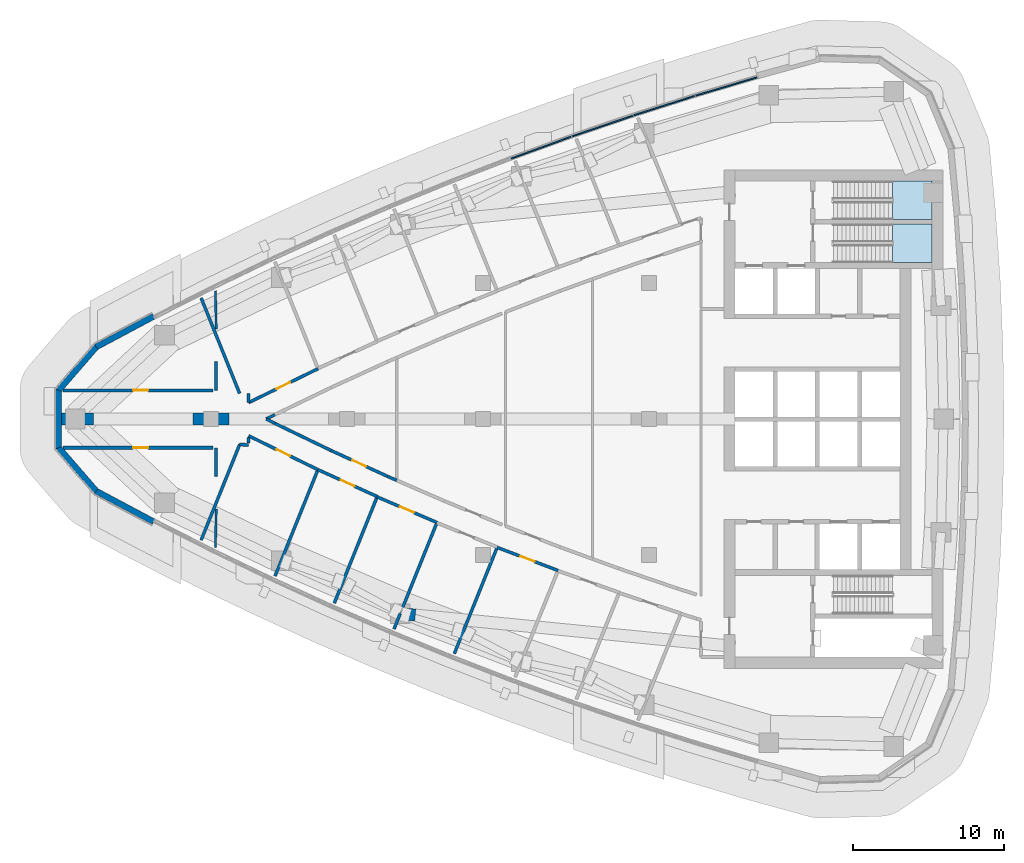
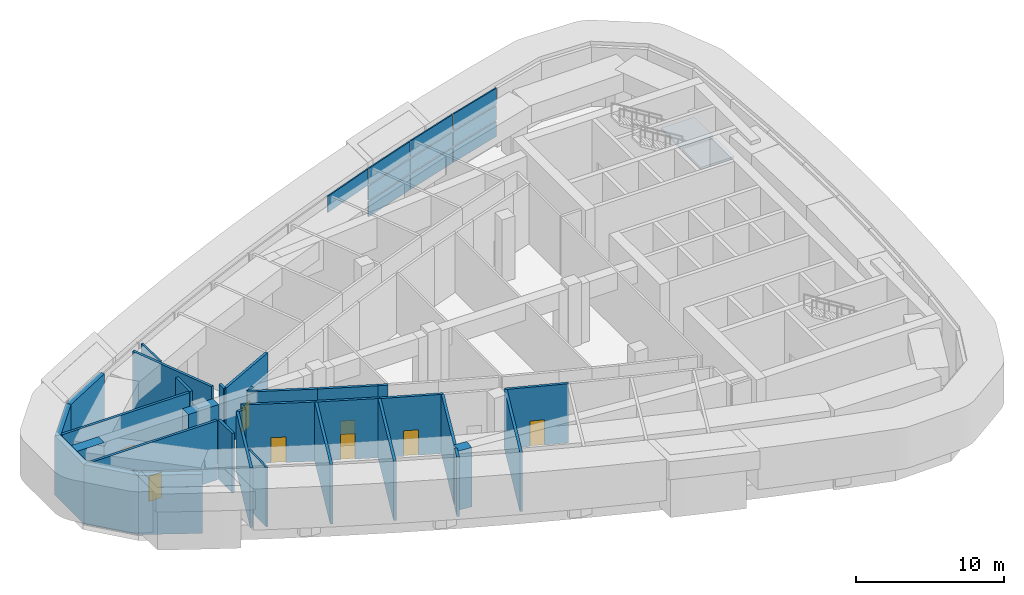
# One storey, part 9 of 17: 34 walls, 10 plates, 8 doors, 2 slabs, 8 openings, 4 elements without a shape of their own.
"""IFC4 building model written with IfcOpenShell, lengths in metres."""

import ifcopenshell
import ifcopenshell.guid

model = None  # the IFC model being written
_history = None  # IfcOwnerHistory: only IFC2X3 demands one
_inside = {}  # id of a spatial element -> (the spatial element, [elements in it])
_under = {}  # id of a project, library or spatial element -> (it, [spatial elements below it])
_declared = {}  # id of a project -> (the project, [libraries it declares])
_typed = {}  # id of a type object -> (the type object, [elements of that type])
_made_of = {}  # id of a material, layer set ... -> (it, [elements and type objects made of it])


def new_model(schema):
    """Start an empty IFC model of exactly this schema.

    Asked for "IFC4X3", IfcOpenShell would pick the latest addendum, in which some entities
    have other attributes; the version numbers below select the first issue.
    IFC2X3 requires an IfcOwnerHistory on every rooted entity: one is made here for all.
    """
    global model, _history
    if schema == "IFC4X3":
        model = ifcopenshell.file(schema_version=(4, 3, 0, 0))
    else:
        model = ifcopenshell.file(schema=schema)
    _inside.clear()
    _under.clear()
    _declared.clear()
    _typed.clear()
    _made_of.clear()
    _history = None
    if model.schema == "IFC2X3":
        org = make("IfcOrganization", Name="unknown")
        user = make(
            "IfcPersonAndOrganization",
            ThePerson=make("IfcPerson", FamilyName="unknown"),
            TheOrganization=org,
        )
        app = make(
            "IfcApplication",
            ApplicationDeveloper=org,
            Version="unknown",
            ApplicationFullName="unknown",
            ApplicationIdentifier="unknown",
        )
        _history = make(
            "IfcOwnerHistory",
            OwningUser=user,
            OwningApplication=app,
            ChangeAction="ADDED",
            CreationDate=0,
        )
    return model


def make(cls, **values):
    """One entity of the class cls with the attributes given. An attribute that is None is left unset."""
    return model.create_entity(
        cls, **{name: value for name, value in values.items() if value is not None}
    )


def rooted(cls, **values):
    """An entity with a GlobalId (a new one), such as an element, a storey or a relation."""
    return make(cls, GlobalId=ifcopenshell.guid.new(), OwnerHistory=_history, **values)


def si_unit(unit_type, name, prefix=None):
    """IfcSIUnit, for example si_unit("LENGTHUNIT", "METRE", prefix="MILLI")."""
    return make("IfcSIUnit", UnitType=unit_type, Prefix=prefix, Name=name)


def assignment(units):
    """IfcUnitAssignment: the units of a project."""
    return None if units is None else make("IfcUnitAssignment", Units=units)


def point(xyz):
    """IfcCartesianPoint."""
    return None if xyz is None else make("IfcCartesianPoint", Coordinates=xyz)


def direction(xyz):
    """IfcDirection."""
    return None if xyz is None else make("IfcDirection", DirectionRatios=xyz)


def frame(location, z_axis=None, x_axis=None):
    """IfcAxis2Placement3D, a coordinate frame: its origin and axes. An axis left out is left unset."""
    return make(
        "IfcAxis2Placement3D",
        Location=point(location),
        Axis=direction(z_axis),
        RefDirection=direction(x_axis),
    )


def frame_2d(location, x_axis=None):
    """IfcAxis2Placement2D, a coordinate frame in the plane: its origin and x axis."""
    return make(
        "IfcAxis2Placement2D", Location=point(location), RefDirection=direction(x_axis)
    )


def origin():
    """The frame at (0, 0, 0) with its axes left unset."""
    return frame((0.0, 0.0, 0.0))


def origin_2d():
    """The frame at (0, 0) in the plane with its x axis left unset."""
    return frame_2d((0.0, 0.0))


def place(relative_to, where):
    """IfcLocalPlacement: puts the frame where relative to a parent placement (None: the world)."""
    return make(
        "IfcLocalPlacement", PlacementRelTo=relative_to, RelativePlacement=where
    )


def context(
    kind, dimensions, precision=None, world=None, true_north=None, identifier=None
):
    """IfcGeometricRepresentationContext, for example the 3D "Model" context."""
    return make(
        "IfcGeometricRepresentationContext",
        ContextIdentifier=identifier,
        ContextType=kind,
        CoordinateSpaceDimension=dimensions,
        Precision=precision,
        WorldCoordinateSystem=world,
        TrueNorth=true_north,
    )


def subcontext(parent, identifier, kind, view, scale=None):
    """IfcGeometricRepresentationSubContext, for example "Body" below "Model"."""
    return make(
        "IfcGeometricRepresentationSubContext",
        ContextIdentifier=identifier,
        ContextType=kind,
        ParentContext=parent,
        TargetScale=scale,
        TargetView=view,
    )


def project(units=None, contexts=None):
    """IfcProject with its units and contexts."""
    return rooted(
        "IfcProject",
        Name="project",
        RepresentationContexts=contexts,
        UnitsInContext=assignment(units),
    )


def spatial(cls, under=None, at=None, **own):
    """A site, building, storey or space (cls), placed at a placement, below another one or the project."""
    s = rooted(cls, ObjectPlacement=at, **own)
    if under is not None:
        _under.setdefault(under.id(), (under, []))[1].append(s)
    return s


def polyline(points):
    """IfcPolyline through the points."""
    return make("IfcPolyline", Points=[point(p) for p in points])


def profile(cls, at=None, kind="AREA", **sizes):
    """A parametric profile (cls). Its sizes go by their IFC names, for example OverallWidth=200.0."""
    return make(cls, ProfileType=kind, Position=at, **sizes)


def rectangle(**sizes):
    """IfcRectangleProfileDef."""
    return profile("IfcRectangleProfileDef", **sizes)


def outline(outer, holes=None, kind="AREA"):
    """IfcArbitraryClosedProfileDef: a profile drawn as a closed curve; with holes, ...WithVoids."""
    if holes is None:
        return make("IfcArbitraryClosedProfileDef", ProfileType=kind, OuterCurve=outer)
    return make(
        "IfcArbitraryProfileDefWithVoids",
        ProfileType=kind,
        OuterCurve=outer,
        InnerCurves=holes,
    )


def extrude(swept, where, along, depth):
    """IfcExtrudedAreaSolid: the profile swept, set in the frame where, extruded along a direction by depth."""
    return make(
        "IfcExtrudedAreaSolid",
        SweptArea=swept,
        Position=where,
        ExtrudedDirection=direction(along),
        Depth=depth,
    )


def shape(context_of_items, identifier, shape_type, items):
    """IfcShapeRepresentation: the items that make up one representation, for example the "Body"."""
    return make(
        "IfcShapeRepresentation",
        ContextOfItems=context_of_items,
        RepresentationIdentifier=identifier,
        RepresentationType=shape_type,
        Items=items,
    )


def material(Name=None, Category=None):
    """IfcMaterial."""
    return make("IfcMaterial", Name=Name, Category=Category)


def layer(
    of_material, thickness, ventilated=None, Name=None, Category=None, Priority=None
):
    """IfcMaterialLayer: one layer of a wall or slab, of a material (None: an air gap)."""
    return make(
        "IfcMaterialLayer",
        Material=of_material,
        LayerThickness=thickness,
        IsVentilated=ventilated,
        Name=Name,
        Category=Category,
        Priority=Priority,
    )


def layer_set(layers, Name=None):
    """IfcMaterialLayerSet."""
    return make("IfcMaterialLayerSet", MaterialLayers=layers, LayerSetName=Name)


def made_of(thing, what):
    """Note that an element or type object is made of a material, layer set ...; save() writes the relation."""
    if what is not None:
        _made_of.setdefault(what.id(), (what, []))[1].append(thing)
    return thing


def type_object(cls, material=None, **own):
    """A type object (cls), such as IfcWallType, which elements share."""
    return made_of(rooted(cls, **own), material)


def element(
    cls,
    number,
    at=None,
    inside=None,
    cuts=None,
    type_object=None,
    material=None,
    context=None,
    identifier="Body",
    shape_type=None,
    held_by="IfcProductDefinitionShape",
    body=None,
    shapes=None,
    **own,
):
    """One element of the class cls, such as IfcWall. Its Tag is "e" and its number.

    at: its placement. inside: the storey or other place that contains it. cuts: it is an
    opening in that element (IfcRelVoidsElement). A single representation is given by context,
    identifier, shape_type and body (its items); several are given by shapes. held_by: the class
    of the entity that holds the representations. save() writes the other relations.
    """
    e = rooted(cls, Tag="e%d" % number, ObjectPlacement=at, **own)
    if body is not None:
        shapes = [shape(context, identifier, shape_type, body)]
    if shapes is not None:
        e.Representation = make(held_by, Representations=shapes)
    if inside is not None:
        _inside.setdefault(inside.id(), (inside, []))[1].append(e)
    if cuts is not None:
        rooted(
            "IfcRelVoidsElement", RelatingBuildingElement=cuts, RelatedOpeningElement=e
        )
    if type_object is not None:
        _typed.setdefault(type_object.id(), (type_object, []))[1].append(e)
    return made_of(e, material)


def fill(opening, filler):
    """IfcRelFillsElement: the door or window that sits in an opening."""
    return rooted(
        "IfcRelFillsElement",
        RelatingOpeningElement=opening,
        RelatedBuildingElement=filler,
    )


def aggregate(whole, parts):
    """IfcRelAggregates: a whole, such as a stair, and the parts it consists of."""
    return rooted("IfcRelAggregates", RelatingObject=whole, RelatedObjects=parts)


def save(model, path):
    """Write the relations noted so far, then the file.

    IfcRelAggregates (storeys below a building ...), IfcRelContainedInSpatialStructure (elements
    in a storey), IfcRelDefinesByType, IfcRelAssociatesMaterial and IfcRelDeclares: one each for
    every whole, place, type object, material and project.
    """
    for whole, parts in _under.values():
        aggregate(whole, parts)
    for where, things in _inside.values():
        rooted(
            "IfcRelContainedInSpatialStructure",
            RelatedElements=things,
            RelatingStructure=where,
        )
    for kind, things in _typed.values():
        rooted("IfcRelDefinesByType", RelatedObjects=things, RelatingType=kind)
    for what, things in _made_of.values():
        rooted("IfcRelAssociatesMaterial", RelatedObjects=things, RelatingMaterial=what)
    for by, libraries in _declared.values():
        rooted("IfcRelDeclares", RelatingContext=by, RelatedDefinitions=libraries)
    model.write(path)


model = new_model("IFC4")

# Units and contexts
model_context = context("Model", 3, precision=1e-05, world=origin(), true_north=direction((0.0, 1.0)))
body_context = subcontext(model_context, "Body", "Model", "MODEL_VIEW")
ifc_project = project(units=[si_unit("LENGTHUNIT", "METRE"), si_unit("AREAUNIT", "SQUARE_METRE"), si_unit("VOLUMEUNIT", "CUBIC_METRE"), si_unit("PLANEANGLEUNIT", "RADIAN"), si_unit("MASSUNIT", "GRAM", prefix="KILO")], contexts=[model_context])

# Site, building, storey
site_placement = place(None, origin())
site = spatial("IfcSite", under=ifc_project, at=site_placement, CompositionType="ELEMENT")
building_placement = place(site_placement, origin())
building = spatial("IfcBuilding", under=site, at=building_placement, Name="Ostrand Prow Hotel Tower", CompositionType="ELEMENT")
storey_placement = place(building_placement, frame((0.0, 0.0, 211.0)))
storey = spatial("IfcBuildingStorey", under=building, at=storey_placement, Name="L53", CompositionType="ELEMENT", Elevation=211.0)

# Curtain wall, plates
ifc_material_1 = material(Name="Insulated glass in bronze anodised frame", Category="glass")
ifc_layer_1 = layer(ifc_material_1, 0.199951171875)
ifc_layer_set_1 = layer_set([ifc_layer_1], Name="Insulated glass in bronze anodised frame")
curtain_wall_type = type_object("IfcCurtainWallType", Name="Plant storey louvre wall", PredefinedType="NOTDEFINED", material=ifc_layer_set_1)
curtain_wall_1_placement = place(storey_placement, origin())
curtain_wall_1 = element("IfcCurtainWall", 1, at=curtain_wall_1_placement, inside=storey, type_object=curtain_wall_type, Name="CW7 run CWN1", PredefinedType="NOTDEFINED")
ifc_material_2 = material(Name="Bronze anodised aluminium louvre", Category="aluminium")
ifc_layer_2 = layer(ifc_material_2, 0.10009765625)
ifc_layer_set_2 = layer_set([ifc_layer_2], Name="Bronze anodised aluminium louvre")
plate_type = type_object("IfcPlateType", Name="Bronze louvre panel 100 mm", PredefinedType="CURTAIN_PANEL", material=ifc_layer_set_2)
plate_1_placement = place(storey_placement, frame((50.118896484375, 22.007080078125, 0.89990234375), z_axis=(0.0, 0.0, 1.0), x_axis=(-0.958662947758, -0.284544113619, 0.0)))
plate_1 = element("IfcPlate", 2, at=plate_1_placement, type_object=plate_type, Name="CW7 PN-V panel 1.1", PredefinedType="CURTAIN_PANEL", context=body_context, shape_type="SweptSolid", body=[
    extrude(rectangle(XDim=4.2451171875, YDim=0.10009765625, at=origin_2d()), origin(), (0.0, 0.0, 1.0), 1.239990234375),
])
plate_2_placement = place(storey_placement, frame((50.118896484375, 22.007080078125, 2.26025390625), z_axis=(0.0, 0.0, 1.0), x_axis=(-0.958662947758, -0.284544113619, 0.0)))
plate_2 = element("IfcPlate", 3, at=plate_2_placement, type_object=plate_type, Name="CW7 PN-V panel 1.2", PredefinedType="CURTAIN_PANEL", context=body_context, shape_type="SweptSolid", body=[
    extrude(rectangle(XDim=4.2451171875, YDim=0.10009765625, at=origin_2d()), origin(), (0.0, 0.0, 1.0), 1.179931640625),
])
plate_3_placement = place(storey_placement, frame((50.118896484375, 22.007080078125, 3.56005859375), z_axis=(0.0, 0.0, 1.0), x_axis=(-0.958662947758, -0.284544113619, 0.0)))
plate_3 = element("IfcPlate", 4, at=plate_3_placement, type_object=plate_type, Name="CW7 PN-V panel 1.3", PredefinedType="CURTAIN_PANEL", context=body_context, shape_type="SweptSolid", body=[
    extrude(rectangle(XDim=4.2451171875, YDim=0.10009765625, at=origin_2d()), origin(), (0.0, 0.0, 1.0), 1.340087890625),
])
plate_4_placement = place(storey_placement, frame((46.00439453125, 20.74072265625, 0.89990234375), z_axis=(0.0, 0.0, 1.0), x_axis=(-0.952739983864, -0.303786970008, 0.0)))
plate_4 = element("IfcPlate", 5, at=plate_4_placement, type_object=plate_type, Name="CW7 PN-V panel 2.1", PredefinedType="CURTAIN_PANEL", context=body_context, shape_type="SweptSolid", body=[
    extrude(rectangle(XDim=4.2451171875, YDim=0.10009765625, at=origin_2d()), origin(), (0.0, 0.0, 1.0), 1.239990234375),
])
plate_5_placement = place(storey_placement, frame((46.00439453125, 20.74072265625, 2.26025390625), z_axis=(0.0, 0.0, 1.0), x_axis=(-0.952739983864, -0.303786970008, 0.0)))
plate_5 = element("IfcPlate", 6, at=plate_5_placement, type_object=plate_type, Name="CW7 PN-V panel 2.2", PredefinedType="CURTAIN_PANEL", context=body_context, shape_type="SweptSolid", body=[
    extrude(rectangle(XDim=4.2451171875, YDim=0.10009765625, at=origin_2d()), origin(), (0.0, 0.0, 1.0), 1.179931640625),
])
plate_6_placement = place(storey_placement, frame((46.00439453125, 20.74072265625, 3.56005859375), z_axis=(0.0, 0.0, 1.0), x_axis=(-0.952739983864, -0.303786970008, 0.0)))
plate_6 = element("IfcPlate", 7, at=plate_6_placement, type_object=plate_type, Name="CW7 PN-V panel 2.3", PredefinedType="CURTAIN_PANEL", context=body_context, shape_type="SweptSolid", body=[
    extrude(rectangle(XDim=4.2451171875, YDim=0.10009765625, at=origin_2d()), origin(), (0.0, 0.0, 1.0), 1.340087890625),
])
aggregate(curtain_wall_1, [plate_1, plate_2, plate_3, plate_4, plate_5, plate_6])

curtain_wall_2_placement = place(storey_placement, origin())
curtain_wall_2 = element("IfcCurtainWall", 8, at=curtain_wall_2_placement, inside=storey, type_object=curtain_wall_type, Name="CW7 run CWN2", PredefinedType="NOTDEFINED")
plate_7_placement = place(storey_placement, frame((41.91650390625, 19.3916015625, 0.89990234375), z_axis=(0.0, 0.0, 1.0), x_axis=(-0.946430245113, -0.322908332404, 0.0)))
plate_7 = element("IfcPlate", 9, at=plate_7_placement, type_object=plate_type, Name="CW7 PN-V panel 1.1", PredefinedType="CURTAIN_PANEL", context=body_context, shape_type="SweptSolid", body=[
    extrude(rectangle(XDim=4.2451171875, YDim=0.10009765625, at=origin_2d()), origin(), (0.0, 0.0, 1.0), 1.239990234375),
])
plate_8_placement = place(storey_placement, frame((41.91650390625, 19.3916015625, 2.26025390625), z_axis=(0.0, 0.0, 1.0), x_axis=(-0.946430245113, -0.322908332404, 0.0)))
plate_8 = element("IfcPlate", 10, at=plate_8_placement, type_object=plate_type, Name="CW7 PN-V panel 1.2", PredefinedType="CURTAIN_PANEL", context=body_context, shape_type="SweptSolid", body=[
    extrude(rectangle(XDim=4.2451171875, YDim=0.10009765625, at=origin_2d()), origin(), (0.0, 0.0, 1.0), 1.179931640625),
])
plate_9_placement = place(storey_placement, frame((41.91650390625, 19.3916015625, 3.56005859375), z_axis=(0.0, 0.0, 1.0), x_axis=(-0.946430245113, -0.322908332404, 0.0)))
plate_9 = element("IfcPlate", 11, at=plate_9_placement, type_object=plate_type, Name="CW7 PN-V panel 1.3", PredefinedType="CURTAIN_PANEL", context=body_context, shape_type="SweptSolid", body=[
    extrude(rectangle(XDim=4.2451171875, YDim=0.10009765625, at=origin_2d()), origin(), (0.0, 0.0, 1.0), 1.340087890625),
])
plate_10_placement = place(storey_placement, frame((37.8564453125, 17.960693359375, 3.56005859375), z_axis=(0.0, 0.0, 1.0), x_axis=(-0.939737383067, -0.341897134919, 0.0)))
plate_10 = element("IfcPlate", 12, at=plate_10_placement, type_object=plate_type, Name="CW7 PN-V panel 2.3", PredefinedType="CURTAIN_PANEL", context=body_context, shape_type="SweptSolid", body=[
    extrude(rectangle(XDim=4.2451171875, YDim=0.10009765625, at=origin_2d()), origin(), (0.0, 0.0, 1.0), 1.340087890625),
])
aggregate(curtain_wall_2, [plate_7, plate_8, plate_9, plate_10])

# Stair, slab
ifc_material_3 = material(Name="Concrete C40/50", Category="concrete")
stair_type = type_object("IfcStairType", Name="Exit stair 1200 upper zone", PredefinedType="HALF_TURN_STAIR", material=ifc_material_3)
stair_1_placement = place(storey_placement, origin())
stair_1 = element("IfcStair", 13, at=stair_1_placement, inside=storey, type_object=stair_type, Name="L53 ST1C", PredefinedType="HALF_TURN_STAIR")
ifc_material_4 = material(Name="Concrete C40/50", Category="concrete")
ifc_layer_3 = layer(ifc_material_4, 0.199951171875)
ifc_layer_set_3 = layer_set([ifc_layer_3], Name="Concrete C40/50")
slab_type = type_object("IfcSlabType", Name="Stair landing 200 concrete", PredefinedType="LANDING", material=ifc_layer_set_3)
slab_1_placement = place(storey_placement, frame((0.0, 0.0, 2.39990234375)))
slab_1 = element("IfcSlab", 14, at=slab_1_placement, type_object=slab_type, Name="ST1C landing 1", PredefinedType="LANDING", context=body_context, shape_type="SweptSolid", body=[
    extrude(outline(polyline([(61.1201171875, 10.35009765625), (63.719970703125, 10.35009765625), (63.719970703125, 12.89990234375), (61.1201171875, 12.89990234375), (61.1201171875, 10.35009765625)])), origin(), (0.0, 0.0, 1.0), 0.2001953125),
])
aggregate(stair_1, [slab_1])

stair_2_placement = place(storey_placement, origin())
stair_2 = element("IfcStair", 15, at=stair_2_placement, inside=storey, type_object=stair_type, Name="L53 ST3C", PredefinedType="HALF_TURN_STAIR")
slab_2_placement = place(storey_placement, frame((0.0, 0.0, 2.39990234375)))
slab_2 = element("IfcSlab", 16, at=slab_2_placement, type_object=slab_type, Name="ST3C landing 1", PredefinedType="LANDING", context=body_context, shape_type="SweptSolid", body=[
    extrude(outline(polyline([(61.1201171875, 13.199951171875), (63.719970703125, 13.199951171875), (63.719970703125, 15.75), (61.1201171875, 15.75), (61.1201171875, 13.199951171875)])), origin(), (0.0, 0.0, 1.0), 0.2001953125),
])
aggregate(stair_2, [slab_2])

# Walls
ifc_material_5 = material(Name="Concrete C60/75", Category="concrete")
ifc_layer_4 = layer(ifc_material_5, 0.800048828125)
ifc_layer_set_4 = layer_set([ifc_layer_4], Name="Concrete C60/75")
wall_type_1 = type_object("IfcWallType", Name="Outrigger wall 800 C60/75", PredefinedType="SHEAR", material=ifc_layer_set_4)
wall_1_placement = place(storey_placement, frame((5.817138671875, 0.0, 0.0), z_axis=(0.0, 0.0, 1.0), x_axis=(1.0, 0.0, 0.0)))
element("IfcWall", 17, at=wall_1_placement, inside=storey, type_object=wall_type_1, Name="Outrigger wall A1", PredefinedType="SHEAR", context=body_context, shape_type="SweptSolid", body=[
    extrude(rectangle(XDim=2.400146484375, YDim=0.800048828125, at=frame_2d((1.2001953125, 0.0))), origin(), (0.0, 0.0, 1.0), 4.89990234375),
])
wall_2_placement = place(storey_placement, frame((14.800048828125, 0.0, 0.0), z_axis=(0.0, 0.0, 1.0), x_axis=(1.0, 0.0, 0.0)))
element("IfcWall", 18, at=wall_2_placement, inside=storey, type_object=wall_type_1, Name="Outrigger wall A2", PredefinedType="SHEAR", context=body_context, shape_type="SweptSolid", body=[
    extrude(rectangle(XDim=2.39990234375, YDim=0.800048828125, at=frame_2d((1.199951171875, 0.0))), origin(), (0.0, 0.0, 1.0), 4.89990234375),
])
wall_3_placement = place(storey_placement, frame((29.529541015625, -12.97607421875, 0.0), z_axis=(0.0, 0.0, 1.0), x_axis=(-0.9951978007, 0.097884306618, 0.0)))
element("IfcWall", 19, at=wall_3_placement, inside=storey, type_object=wall_type_1, Name="Outrigger wall DS2", PredefinedType="SHEAR", context=body_context, shape_type="SweptSolid", body=[
    extrude(rectangle(XDim=1.000244140625, YDim=0.800048828125, at=frame_2d((0.5, 0.0))), origin(), (0.0, 0.0, 1.0), 4.89990234375),
])
ifc_material_6 = material(Name="Plasterboard partition")
ifc_layer_5 = layer(ifc_material_6, 0.14990234375)
ifc_layer_set_5 = layer_set([ifc_layer_5], Name="Plasterboard partition")
wall_type_2 = type_object("IfcWallType", Name="Partition 150 room partition", PredefinedType="PARTITIONING", material=ifc_layer_set_5)
for number, where, z_axis, x_axis, name in (
    (20, (16.299072265625, 8.491455078125, 0.0), (0.0, 0.0, 1.0), (0.021719312955, -0.9997641079, 0.0), "ROOM PARTITION"),
    (21, (16.35400390625, -5.962890625, 0.0), (0.0, 0.0, 1.0), (-0.021719312955, -0.9997641079, 0.0), "ROOM PARTITION"),
):
    element("IfcWall", number, at=place(storey_placement, frame(where, z_axis=z_axis, x_axis=x_axis)), inside=storey, type_object=wall_type_2, Name=name, PredefinedType="PARTITIONING", context=body_context, shape_type="SweptSolid", body=[
        extrude(rectangle(XDim=2.529052734375, YDim=0.14990234375, at=frame_2d((1.2646484375, 0.0))), origin(), (0.0, 0.0, 1.0), 4.89990234375),
    ])

# Wall, opening, door
ifc_material_7 = material(Name="Plasterboard partition")
ifc_layer_6 = layer(ifc_material_7, 0.199951171875)
ifc_layer_set_6 = layer_set([ifc_layer_6], Name="Plasterboard partition")
wall_type_3 = type_object("IfcWallType", Name="Partition 200 corridor wall", PredefinedType="PARTITIONING", material=ifc_layer_set_6)
wall_4_placement = place(storey_placement, frame((6.213623046875, 1.89990234375, 0.0), z_axis=(0.0, 0.0, 1.0), x_axis=(1.0, 0.0, 0.0)))
wall_4 = element("IfcWall", 22, at=wall_4_placement, inside=storey, type_object=wall_type_3, Name="CORRIDOR WALL", PredefinedType="PARTITIONING", context=body_context, shape_type="SweptSolid", body=[
    extrude(rectangle(XDim=9.9404296875, YDim=0.199951171875, at=frame_2d((4.97021484375, 0.0))), origin(), (0.0, 0.0, 1.0), 4.89990234375),
])
opening_1_placement = place(wall_4_placement, frame((4.632080078125, 0.0, 0.0)))
opening_1 = element("IfcOpeningElement", 23, at=opening_1_placement, cuts=wall_4, Name="Opening D1", PredefinedType="OPENING", context=body_context, shape_type="SweptSolid", body=[
    extrude(rectangle(XDim=1.0, YDim=2.10009765625, at=frame_2d((0.5, 1.050048828125))), frame((0.0, 0.10986328125, 0.0), z_axis=(0.0, -1.0, 0.0), x_axis=(1.0, 0.0, 0.0)), (0.0, 0.0, 1.0), 0.219970703125),
])
ifc_material_8 = material(Name="Timber door leaf", Category="wood")
door_type_1 = type_object("IfcDoorType", Name="Guest room door 1000", OperationType="SINGLE_SWING_LEFT", PredefinedType="DOOR", material=ifc_material_8)
door_1_placement = place(opening_1_placement, origin())
door_1 = element("IfcDoor", 24, at=door_1_placement, inside=storey, type_object=door_type_1, Name="DOOR", OperationType="SINGLE_SWING_LEFT", OverallHeight=2.10009765625, OverallWidth=1.0, PredefinedType="DOOR", context=body_context, shape_type="SweptSolid", body=[
    extrude(rectangle(XDim=1.0, YDim=2.10009765625, at=frame_2d((0.5, 1.050048828125))), frame((0.0, 0.02490234375, 0.0), z_axis=(0.0, -1.0, 0.0), x_axis=(1.0, 0.0, 0.0)), (0.0, 0.0, 1.0), 0.050048828125),
])
fill(opening_1, door_1)

wall_5_placement = place(storey_placement, frame((6.213623046875, -1.89990234375, 0.0), z_axis=(0.0, 0.0, 1.0), x_axis=(1.0, 0.0, 0.0)))
wall_5 = element("IfcWall", 25, at=wall_5_placement, inside=storey, type_object=wall_type_3, Name="CORRIDOR WALL", PredefinedType="PARTITIONING", context=body_context, shape_type="SweptSolid", body=[
    extrude(rectangle(XDim=9.9404296875, YDim=0.199951171875, at=frame_2d((4.97021484375, 0.0))), origin(), (0.0, 0.0, 1.0), 4.89990234375),
])
opening_2_placement = place(wall_5_placement, frame((4.632080078125, 0.0, 0.0)))
opening_2 = element("IfcOpeningElement", 26, at=opening_2_placement, cuts=wall_5, Name="Opening D1R", PredefinedType="OPENING", context=body_context, shape_type="SweptSolid", body=[
    extrude(rectangle(XDim=1.0, YDim=2.10009765625, at=frame_2d((0.5, 1.050048828125))), frame((0.0, 0.10986328125, 0.0), z_axis=(0.0, -1.0, 0.0), x_axis=(1.0, 0.0, 0.0)), (0.0, 0.0, 1.0), 0.219970703125),
])
ifc_material_9 = material(Name="Timber door leaf", Category="wood")
door_type_2 = type_object("IfcDoorType", Name="Guest room door 1000 right", OperationType="SINGLE_SWING_RIGHT", PredefinedType="DOOR", material=ifc_material_9)
door_2_placement = place(opening_2_placement, origin())
door_2 = element("IfcDoor", 27, at=door_2_placement, inside=storey, type_object=door_type_2, Name="DOOR", OperationType="SINGLE_SWING_RIGHT", OverallHeight=2.10009765625, OverallWidth=1.0, PredefinedType="DOOR", context=body_context, shape_type="SweptSolid", body=[
    extrude(rectangle(XDim=1.0, YDim=2.10009765625, at=frame_2d((0.5, 1.050048828125))), frame((0.0, 0.02490234375, 0.0), z_axis=(0.0, -1.0, 0.0), x_axis=(1.0, 0.0, 0.0)), (0.0, 0.0, 1.0), 0.050048828125),
])
fill(opening_2, door_2)

wall_6_placement = place(storey_placement, frame((18.5, 1.08935546875, 0.0), z_axis=(0.0, 0.0, 1.0), x_axis=(0.898535097359, 0.438901673287, 0.0)))
wall_6 = element("IfcWall", 28, at=wall_6_placement, inside=storey, type_object=wall_type_3, Name="CORRIDOR WALL", PredefinedType="PARTITIONING", context=body_context, shape_type="SweptSolid", body=[
    extrude(rectangle(XDim=5.11083984375, YDim=0.199951171875, at=frame_2d((2.555419921875, 0.0))), origin(), (0.0, 0.0, 1.0), 4.89990234375),
])
opening_3_placement = place(wall_6_placement, frame((2.055419921875, 0.0, 0.0)))
opening_3 = element("IfcOpeningElement", 29, at=opening_3_placement, cuts=wall_6, Name="Opening D1", PredefinedType="OPENING", context=body_context, shape_type="SweptSolid", body=[
    extrude(rectangle(XDim=1.0, YDim=2.10009765625, at=frame_2d((0.5, 1.050048828125))), frame((0.0, 0.10986328125, 0.0), z_axis=(0.0, -1.0, 0.0), x_axis=(1.0, 0.0, 0.0)), (0.0, 0.0, 1.0), 0.219970703125),
])
door_3_placement = place(opening_3_placement, origin())
door_3 = element("IfcDoor", 30, at=door_3_placement, inside=storey, type_object=door_type_1, Name="DOOR", OperationType="SINGLE_SWING_LEFT", OverallHeight=2.10009765625, OverallWidth=1.0, PredefinedType="DOOR", context=body_context, shape_type="SweptSolid", body=[
    extrude(rectangle(XDim=1.0, YDim=2.10009765625, at=frame_2d((0.5, 1.050048828125))), frame((0.0, 0.02490234375, 0.0), z_axis=(0.0, -1.0, 0.0), x_axis=(1.0, 0.0, 0.0)), (0.0, 0.0, 1.0), 0.050048828125),
])
fill(opening_3, door_3)

wall_7_placement = place(storey_placement, frame((18.5, -1.11181640625, 0.0), z_axis=(0.0, 0.0, 1.0), x_axis=(0.898551280235, -0.438868541579, 0.0)))
wall_7 = element("IfcWall", 31, at=wall_7_placement, inside=storey, type_object=wall_type_3, Name="CORRIDOR WALL", PredefinedType="PARTITIONING", context=body_context, shape_type="SweptSolid", body=[
    extrude(rectangle(XDim=5.102294921875, YDim=0.199951171875, at=frame_2d((2.55126953125, 0.0))), origin(), (0.0, 0.0, 1.0), 4.89990234375),
])
opening_4_placement = place(wall_7_placement, frame((2.05126953125, 0.0, 0.0)))
opening_4 = element("IfcOpeningElement", 32, at=opening_4_placement, cuts=wall_7, Name="Opening D1", PredefinedType="OPENING", context=body_context, shape_type="SweptSolid", body=[
    extrude(rectangle(XDim=1.0, YDim=2.10009765625, at=frame_2d((0.5, 1.050048828125))), frame((0.0, 0.10986328125, 0.0), z_axis=(0.0, -1.0, 0.0), x_axis=(1.0, 0.0, 0.0)), (0.0, 0.0, 1.0), 0.219970703125),
])
door_4_placement = place(opening_4_placement, origin())
door_4 = element("IfcDoor", 33, at=door_4_placement, inside=storey, type_object=door_type_1, Name="DOOR", OperationType="SINGLE_SWING_LEFT", OverallHeight=2.10009765625, OverallWidth=1.0, PredefinedType="DOOR", context=body_context, shape_type="SweptSolid", body=[
    extrude(rectangle(XDim=1.0, YDim=2.10009765625, at=frame_2d((0.5, 1.050048828125))), frame((0.0, 0.02490234375, 0.0), z_axis=(0.0, -1.0, 0.0), x_axis=(1.0, 0.0, 0.0)), (0.0, 0.0, 1.0), 0.050048828125),
])
fill(opening_4, door_4)

wall_8_placement = place(storey_placement, frame((23.084716796875, -3.35107421875, 0.0), z_axis=(0.0, 0.0, 1.0), x_axis=(0.910651275081, -0.413175816322, 0.0)))
wall_8 = element("IfcWall", 34, at=wall_8_placement, inside=storey, type_object=wall_type_3, Name="CORRIDOR WALL", PredefinedType="PARTITIONING", context=body_context, shape_type="SweptSolid", body=[
    extrude(rectangle(XDim=4.312255859375, YDim=0.199951171875, at=frame_2d((2.15625, 0.0))), origin(), (0.0, 0.0, 1.0), 4.89990234375),
])
opening_5_placement = place(wall_8_placement, frame((1.656005859375, 0.0, 0.0)))
opening_5 = element("IfcOpeningElement", 35, at=opening_5_placement, cuts=wall_8, Name="Opening D1R", PredefinedType="OPENING", context=body_context, shape_type="SweptSolid", body=[
    extrude(rectangle(XDim=1.0, YDim=2.10009765625, at=frame_2d((0.5, 1.050048828125))), frame((0.0, 0.10986328125, 0.0), z_axis=(0.0, -1.0, 0.0), x_axis=(1.0, 0.0, 0.0)), (0.0, 0.0, 1.0), 0.219970703125),
])
door_5_placement = place(opening_5_placement, origin())
door_5 = element("IfcDoor", 36, at=door_5_placement, inside=storey, type_object=door_type_2, Name="DOOR", OperationType="SINGLE_SWING_RIGHT", OverallHeight=2.10009765625, OverallWidth=1.0, PredefinedType="DOOR", context=body_context, shape_type="SweptSolid", body=[
    extrude(rectangle(XDim=1.0, YDim=2.10009765625, at=frame_2d((0.5, 1.050048828125))), frame((0.0, 0.02490234375, 0.0), z_axis=(0.0, -1.0, 0.0), x_axis=(1.0, 0.0, 0.0)), (0.0, 0.0, 1.0), 0.050048828125),
])
fill(opening_5, door_5)

wall_9_placement = place(storey_placement, frame((27.004150390625, -5.1513671875, 0.0), z_axis=(0.0, 0.0, 1.0), x_axis=(0.919259282109, -0.393652603519, 0.0)))
wall_9 = element("IfcWall", 37, at=wall_9_placement, inside=storey, type_object=wall_type_3, Name="CORRIDOR WALL", PredefinedType="PARTITIONING", context=body_context, shape_type="SweptSolid", body=[
    extrude(rectangle(XDim=4.30908203125, YDim=0.199951171875, at=frame_2d((2.154541015625, 0.0))), origin(), (0.0, 0.0, 1.0), 4.89990234375),
])
opening_6_placement = place(wall_9_placement, frame((1.654541015625, 0.0, 0.0)))
opening_6 = element("IfcOpeningElement", 38, at=opening_6_placement, cuts=wall_9, Name="Opening D1", PredefinedType="OPENING", context=body_context, shape_type="SweptSolid", body=[
    extrude(rectangle(XDim=1.0, YDim=2.10009765625, at=frame_2d((0.5, 1.050048828125))), frame((0.0, 0.10986328125, 0.0), z_axis=(0.0, -1.0, 0.0), x_axis=(1.0, 0.0, 0.0)), (0.0, 0.0, 1.0), 0.219970703125),
])
door_6_placement = place(opening_6_placement, origin())
door_6 = element("IfcDoor", 39, at=door_6_placement, inside=storey, type_object=door_type_1, Name="DOOR", OperationType="SINGLE_SWING_LEFT", OverallHeight=2.10009765625, OverallWidth=1.0, PredefinedType="DOOR", context=body_context, shape_type="SweptSolid", body=[
    extrude(rectangle(XDim=1.0, YDim=2.10009765625, at=frame_2d((0.5, 1.050048828125))), frame((0.0, 0.02490234375, 0.0), z_axis=(0.0, -1.0, 0.0), x_axis=(1.0, 0.0, 0.0)), (0.0, 0.0, 1.0), 0.050048828125),
])
fill(opening_6, door_6)

wall_10_placement = place(storey_placement, frame((34.9482421875, -8.497314453125, 0.0), z_axis=(0.0, 0.0, 1.0), x_axis=(0.935007885135, -0.354626923309, 0.0)))
wall_10 = element("IfcWall", 40, at=wall_10_placement, inside=storey, type_object=wall_type_3, Name="CORRIDOR WALL", PredefinedType="PARTITIONING", context=body_context, shape_type="SweptSolid", body=[
    extrude(rectangle(XDim=4.311767578125, YDim=0.199951171875, at=frame_2d((2.15576171875, 0.0))), origin(), (0.0, 0.0, 1.0), 4.89990234375),
])
opening_7_placement = place(wall_10_placement, frame((1.656005859375, 0.0, 0.0)))
opening_7 = element("IfcOpeningElement", 41, at=opening_7_placement, cuts=wall_10, Name="Opening D1", PredefinedType="OPENING", context=body_context, shape_type="SweptSolid", body=[
    extrude(rectangle(XDim=1.0, YDim=2.10009765625, at=frame_2d((0.5, 1.050048828125))), frame((0.0, 0.10986328125, 0.0), z_axis=(0.0, -1.0, 0.0), x_axis=(1.0, 0.0, 0.0)), (0.0, 0.0, 1.0), 0.219970703125),
])
door_7_placement = place(opening_7_placement, origin())
door_7 = element("IfcDoor", 42, at=door_7_placement, inside=storey, type_object=door_type_1, Name="DOOR", OperationType="SINGLE_SWING_LEFT", OverallHeight=2.10009765625, OverallWidth=1.0, PredefinedType="DOOR", context=body_context, shape_type="SweptSolid", body=[
    extrude(rectangle(XDim=1.0, YDim=2.10009765625, at=frame_2d((0.5, 1.050048828125))), frame((0.0, 0.02490234375, 0.0), z_axis=(0.0, -1.0, 0.0), x_axis=(1.0, 0.0, 0.0)), (0.0, 0.0, 1.0), 0.050048828125),
])
fill(opening_7, door_7)

wall_11_placement = place(storey_placement, frame((27.689697265625, -3.79345703125, 0.0), z_axis=(0.0, 0.0, 1.0), x_axis=(-0.909180834404, 0.416401501382, 0.0)))
wall_11 = element("IfcWall", 43, at=wall_11_placement, inside=storey, type_object=wall_type_3, Name="CORRIDOR WALL", PredefinedType="PARTITIONING", context=body_context, shape_type="SweptSolid", body=[
    extrude(rectangle(XDim=4.1171875, YDim=0.199951171875, at=frame_2d((2.05859375, 0.0))), origin(), (0.0, 0.0, 1.0), 4.89990234375),
])
opening_8_placement = place(wall_11_placement, frame((1.55859375, 0.0, 0.0)))
opening_8 = element("IfcOpeningElement", 44, at=opening_8_placement, cuts=wall_11, Name="Opening D1", PredefinedType="OPENING", context=body_context, shape_type="SweptSolid", body=[
    extrude(rectangle(XDim=1.0, YDim=2.10009765625, at=frame_2d((0.5, 1.050048828125))), frame((0.0, 0.10986328125, 0.0), z_axis=(0.0, -1.0, 0.0), x_axis=(1.0, 0.0, 0.0)), (0.0, 0.0, 1.0), 0.219970703125),
])
door_8_placement = place(opening_8_placement, origin())
door_8 = element("IfcDoor", 45, at=door_8_placement, inside=storey, type_object=door_type_1, Name="DOOR", OperationType="SINGLE_SWING_LEFT", OverallHeight=2.10009765625, OverallWidth=1.0, PredefinedType="DOOR", context=body_context, shape_type="SweptSolid", body=[
    extrude(rectangle(XDim=1.0, YDim=2.10009765625, at=frame_2d((0.5, 1.050048828125))), frame((0.0, 0.02490234375, 0.0), z_axis=(0.0, -1.0, 0.0), x_axis=(1.0, 0.0, 0.0)), (0.0, 0.0, 1.0), 0.050048828125),
])
fill(opening_8, door_8)

# Walls
wall_12_placement = place(storey_placement, frame((23.946533203125, -2.0791015625, 0.0), z_axis=(0.0, 0.0, 1.0), x_axis=(-0.900613273517, 0.434621365748, 0.0)))
element("IfcWall", 46, at=wall_12_placement, inside=storey, type_object=wall_type_3, Name="CORRIDOR WALL", PredefinedType="PARTITIONING", context=body_context, shape_type="SweptSolid", body=[
    extrude(rectangle(XDim=4.116943359375, YDim=0.199951171875, at=frame_2d((2.05859375, 0.0))), origin(), (0.0, 0.0, 1.0), 4.89990234375),
])
for number, where, z_axis, x_axis, name in (
    (47, (20.23876953125, -0.289794921875, 0.0), (0.0, 0.0, 1.0), (-0.891742518804, 0.45254312519, 0.0), "CORRIDOR WALL"),
    (48, (19.667724609375, 0.0, 0.0), (0.0, 0.0, 1.0), (0.891742518804, 0.45254312519, 0.0), "CORRIDOR WALL"),
):
    element("IfcWall", number, at=place(storey_placement, frame(where, z_axis=z_axis, x_axis=x_axis)), inside=storey, type_object=wall_type_3, Name=name, PredefinedType="PARTITIONING", context=body_context, shape_type="SweptSolid", body=[
        extrude(rectangle(XDim=0.640380859375, YDim=0.199951171875, at=frame_2d((0.3203125, 0.0))), origin(), (0.0, 0.0, 1.0), 4.89990234375),
    ])
wall_13_placement = place(storey_placement, frame((28.302490234375, -4.059326171875, 0.0), z_axis=(0.0, 0.0, 1.0), x_axis=(-0.917377746536, 0.398017675688, 0.0)))
element("IfcWall", 49, at=wall_13_placement, inside=storey, type_object=wall_type_3, Name="CORRIDOR WALL", PredefinedType="PARTITIONING", context=body_context, shape_type="SweptSolid", body=[
    extrude(rectangle(XDim=0.66796875, YDim=0.199951171875, at=frame_2d((0.333984375, 0.0))), origin(), (0.0, 0.0, 1.0), 4.89990234375),
])
for number, where, z_axis, x_axis, name in (
    (50, (16.35400390625, 3.815673828125, 0.0), (0.0, 0.0, 1.0), (0.0, -1.0, 0.0), "CORRIDOR WALL"),
    (51, (16.35400390625, -1.905029296875, 0.0), (0.0, 0.0, 1.0), (0.0, -1.0, 0.0), "CORRIDOR WALL"),
):
    element("IfcWall", number, at=place(storey_placement, frame(where, z_axis=z_axis, x_axis=x_axis)), inside=storey, type_object=wall_type_3, Name=name, PredefinedType="PARTITIONING", context=body_context, shape_type="SweptSolid", body=[
        extrude(rectangle(XDim=1.91064453125, YDim=0.199951171875, at=frame_2d((0.955322265625, 0.0))), origin(), (0.0, 0.0, 1.0), 4.89990234375),
    ])
wall_14_placement = place(storey_placement, frame((18.5, 1.08935546875, 0.0), z_axis=(0.0, 0.0, 1.0), x_axis=(0.005564301776, 0.999984519153, 0.0)))
element("IfcWall", 52, at=wall_14_placement, inside=storey, type_object=wall_type_3, Name="CORRIDOR WALL", PredefinedType="PARTITIONING", context=body_context, shape_type="SweptSolid", body=[
    extrude(rectangle(XDim=0.6142578125, YDim=0.199951171875, at=frame_2d((0.30712890625, 0.0))), origin(), (0.0, 0.0, 1.0), 4.89990234375),
])
wall_15_placement = place(storey_placement, frame((17.89990234375, -1.699951171875, 0.0), z_axis=(0.0, 0.0, 1.0), x_axis=(0.999981590432, -0.006067849457, 0.0)))
element("IfcWall", 53, at=wall_15_placement, inside=storey, type_object=wall_type_3, Name="CORRIDOR WALL", PredefinedType="PARTITIONING", context=body_context, shape_type="SweptSolid", body=[
    extrude(rectangle(XDim=0.603515625, YDim=0.199951171875, at=frame_2d((0.3017578125, 0.0))), origin(), (0.0, 0.0, 1.0), 4.89990234375),
])
wall_16_placement = place(storey_placement, frame((18.50390625, -1.58349609375, 0.0), z_axis=(0.0, 0.0, 1.0), x_axis=(-0.008135323995, 0.999966907704, 0.0)))
element("IfcWall", 54, at=wall_16_placement, inside=storey, type_object=wall_type_3, Name="CORRIDOR WALL", PredefinedType="PARTITIONING", context=body_context, shape_type="SweptSolid", body=[
    extrude(rectangle(XDim=0.360107421875, YDim=0.199951171875, at=frame_2d((0.18017578125, 0.0))), origin(), (0.0, 0.0, 1.0), 4.89990234375),
])
ifc_material_10 = material(Name="Plasterboard partition")
ifc_layer_7 = layer(ifc_material_10, 0.199951171875)
ifc_layer_set_7 = layer_set([ifc_layer_7], Name="Plasterboard partition")
wall_type_4 = type_object("IfcWallType", Name="Partition 200 key partition", PredefinedType="PARTITIONING", material=ifc_layer_set_7)
for number, where, z_axis, x_axis, name in (
    (55, (15.35400390625, 8.015625, 0.0), (0.0, 0.0, 1.0), (0.373874324938, -0.927479373977, 0.0), "KEY PARTITION"),
    (56, (15.35400390625, -8.015625, 0.0), (0.0, 0.0, 1.0), (0.373874324938, 0.927479373977, 0.0), "KEY PARTITION"),
):
    element("IfcWall", number, at=place(storey_placement, frame(where, z_axis=z_axis, x_axis=x_axis)), inside=storey, type_object=wall_type_4, Name=name, PredefinedType="PARTITIONING", context=body_context, shape_type="SweptSolid", body=[
        extrude(rectangle(XDim=6.8095703125, YDim=0.199951171875, at=frame_2d((3.40478515625, 0.0))), origin(), (0.0, 0.0, 1.0), 4.89990234375),
    ])
wall_17_placement = place(storey_placement, frame((20.245849609375, -10.393310546875, 0.0), z_axis=(0.0, 0.0, 1.0), x_axis=(0.373894034942, 0.927471428473, 0.0)))
element("IfcWall", 57, at=wall_17_placement, inside=storey, type_object=wall_type_4, Name="KEY PARTITION", PredefinedType="PARTITIONING", context=body_context, shape_type="SweptSolid", body=[
    extrude(rectangle(XDim=7.613037109375, YDim=0.199951171875, at=frame_2d((3.806640625, 0.0))), origin(), (0.0, 0.0, 1.0), 4.89990234375),
])
wall_18_placement = place(storey_placement, frame((24.16845703125, -12.185302734375, 0.0), z_axis=(0.0, 0.0, 1.0), x_axis=(0.373913547423, 0.927463562116, 0.0)))
element("IfcWall", 58, at=wall_18_placement, inside=storey, type_object=wall_type_4, Name="KEY PARTITION", PredefinedType="PARTITIONING", context=body_context, shape_type="SweptSolid", body=[
    extrude(rectangle(XDim=7.60400390625, YDim=0.199951171875, at=frame_2d((3.802001953125, 0.0))), origin(), (0.0, 0.0, 1.0), 4.89990234375),
])
wall_19_placement = place(storey_placement, frame((28.123779296875, -13.896728515625, 0.0), z_axis=(0.0, 0.0, 1.0), x_axis=(0.373727740677, 0.927538449795, 0.0)))
element("IfcWall", 59, at=wall_19_placement, inside=storey, type_object=wall_type_4, Name="KEY PARTITION", PredefinedType="PARTITIONING", context=body_context, shape_type="SweptSolid", body=[
    extrude(rectangle(XDim=1.09814453125, YDim=0.199951171875, at=frame_2d((0.549072265625, 0.0))), origin(), (0.0, 0.0, 1.0), 4.89990234375),
])
wall_20_placement = place(storey_placement, frame((28.690185546875, -12.49169921875, 0.0), z_axis=(0.0, 0.0, 1.0), x_axis=(0.373872599967, 0.927480069324, 0.0)))
element("IfcWall", 60, at=wall_20_placement, inside=storey, type_object=wall_type_4, Name="KEY PARTITION", PredefinedType="PARTITIONING", context=body_context, shape_type="SweptSolid", body=[
    extrude(rectangle(XDim=6.08544921875, YDim=0.199951171875, at=frame_2d((3.042724609375, 0.0))), origin(), (0.0, 0.0, 1.0), 4.89990234375),
])
wall_21_placement = place(storey_placement, frame((32.114013671875, -15.5283203125, 0.0), z_axis=(0.0, 0.0, 1.0), x_axis=(0.373881438439, 0.927476506436, 0.0)))
element("IfcWall", 61, at=wall_21_placement, inside=storey, type_object=wall_type_4, Name="KEY PARTITION", PredefinedType="PARTITIONING", context=body_context, shape_type="SweptSolid", body=[
    extrude(rectangle(XDim=7.600830078125, YDim=0.199951171875, at=frame_2d((3.80029296875, 0.0))), origin(), (0.0, 0.0, 1.0), 4.89990234375),
])
ifc_material_11 = material(Name="Precast concrete C40/50", Category="concrete")
ifc_layer_8 = layer(ifc_material_11, 0.39990234375)
ifc_layer_set_8 = layer_set([ifc_layer_8], Name="Precast concrete C40/50")
wall_type_5 = type_object("IfcWallType", Name="Stone-faced precast wall 400 mm", PredefinedType="NOTDEFINED", material=ifc_layer_set_8)
wall_22_placement = place(storey_placement, frame((12.209716796875, 6.801025390625, 0.0), z_axis=(0.0, 0.0, 1.0), x_axis=(-0.882385889746, -0.470526451518, 0.0)))
element("IfcWall", 62, at=wall_22_placement, inside=storey, type_object=wall_type_5, Name="Stone-faced wall prow 1", PredefinedType="NOTDEFINED", context=body_context, shape_type="SweptSolid", body=[
    extrude(outline(polyline([(0.0, -0.199951171875), (4.34423828125, -0.199951171875), (4.27001953125, 0.199951171875), (0.0, 0.199951171875), (0.0, -0.199951171875)])), origin(), (0.0, 0.0, 1.0), 4.89990234375),
])
wall_23_placement = place(storey_placement, frame((8.4091796875, 4.7744140625, 0.0), z_axis=(0.0, 0.0, 1.0), x_axis=(-0.654759384203, -0.755837382509, 0.0)))
element("IfcWall", 63, at=wall_23_placement, inside=storey, type_object=wall_type_5, Name="Stone-faced wall prow 2", PredefinedType="NOTDEFINED", context=body_context, shape_type="SweptSolid", body=[
    extrude(outline(polyline([(-0.037109375, -0.199951171875), (3.87646484375, -0.199951171875), (3.72705078125, 0.199951171875), (0.037109375, 0.199951171875), (-0.037109375, -0.199951171875)])), origin(), (0.0, 0.0, 1.0), 4.89990234375),
])
wall_24_placement = place(storey_placement, frame((5.919921875, 1.90087890625, 0.0), z_axis=(0.0, 0.0, 1.0), x_axis=(0.0, -1.0, 0.0)))
element("IfcWall", 64, at=wall_24_placement, inside=storey, type_object=wall_type_5, Name="Stone-faced wall prow 3", PredefinedType="NOTDEFINED", context=body_context, shape_type="SweptSolid", body=[
    extrude(outline(polyline([(-0.07470703125, -0.199951171875), (3.87646484375, -0.199951171875), (3.72705078125, 0.199951171875), (0.07470703125, 0.199951171875), (-0.07470703125, -0.199951171875)])), origin(), (0.0, 0.0, 1.0), 4.89990234375),
])
wall_25_placement = place(storey_placement, frame((5.919921875, -1.90087890625, 0.0), z_axis=(0.0, 0.0, 1.0), x_axis=(0.654759384203, -0.755837382509, 0.0)))
element("IfcWall", 65, at=wall_25_placement, inside=storey, type_object=wall_type_5, Name="Stone-faced wall prow 4", PredefinedType="NOTDEFINED", context=body_context, shape_type="SweptSolid", body=[
    extrude(outline(polyline([(-0.07470703125, -0.199951171875), (3.8388671875, -0.199951171875), (3.7646484375, 0.199951171875), (0.07470703125, 0.199951171875), (-0.07470703125, -0.199951171875)])), origin(), (0.0, 0.0, 1.0), 4.89990234375),
])
wall_26_placement = place(storey_placement, frame((8.4091796875, -4.7744140625, 0.0), z_axis=(0.0, 0.0, 1.0), x_axis=(0.882385889746, -0.470526451518, 0.0)))
element("IfcWall", 66, at=wall_26_placement, inside=storey, type_object=wall_type_5, Name="Stone-faced wall prow 5", PredefinedType="NOTDEFINED", context=body_context, shape_type="SweptSolid", body=[
    extrude(outline(polyline([(-0.037109375, -0.199951171875), (4.30712890625, -0.199951171875), (4.30712890625, 0.199951171875), (0.037109375, 0.199951171875), (-0.037109375, -0.199951171875)])), origin(), (0.0, 0.0, 1.0), 4.89990234375),
])

save(model, "model.ifc")
